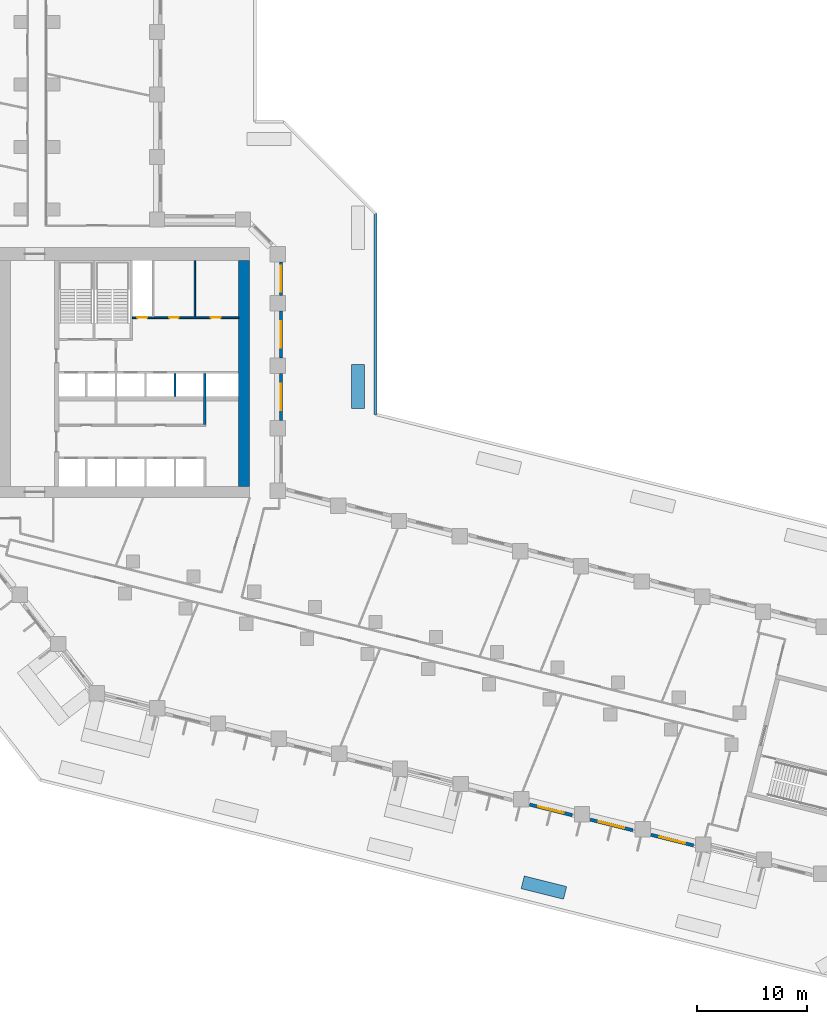
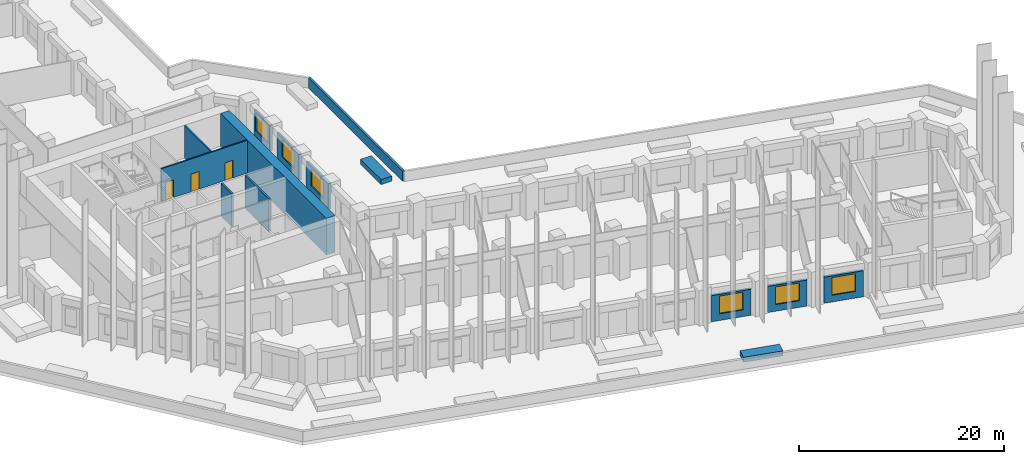
# One storey, part 6 of 13: 14 walls, 6 windows, 3 doors, 9 openings.
"""IFC4 building model written with IfcOpenShell, lengths in metres."""

from ifc_helpers import new_model, si_unit, direction, frame, frame_2d, origin, place, context, subcontext, project, spatial, rectangle, extrude, material, layer, layer_set, type_object, element, fill, save


model = new_model("IFC4")

# Units and contexts
model_context = context("Model", 3, precision=1e-05, world=origin(), true_north=direction((0.0, 1.0)))
body_context = subcontext(model_context, "Body", "Model", "MODEL_VIEW")
ifc_project = project(units=[si_unit("LENGTHUNIT", "METRE"), si_unit("AREAUNIT", "SQUARE_METRE"), si_unit("VOLUMEUNIT", "CUBIC_METRE"), si_unit("PLANEANGLEUNIT", "RADIAN"), si_unit("MASSUNIT", "GRAM", prefix="KILO")], contexts=[model_context])

# Site, building, storey
site_placement = place(None, origin())
site = spatial("IfcSite", under=ifc_project, at=site_placement, CompositionType="ELEMENT")
building_placement = place(site_placement, origin())
building = spatial("IfcBuilding", under=site, at=building_placement, Name="Meshkara Civic Tower", CompositionType="ELEMENT")
storey_placement = place(building_placement, frame((0.0, 0.0, 33.0)))
storey = spatial("IfcBuildingStorey", under=building, at=storey_placement, Name="L06", CompositionType="ELEMENT", Elevation=33.0)

# Wall, openings, doors
ifc_material_1 = material(Name="Blockwork", Category="masonry")
ifc_layer_1 = layer(ifc_material_1, 0.14990234375)
ifc_layer_set_1 = layer_set([ifc_layer_1], Name="Core partition 150")
wall_type_1 = type_object("IfcWallType", Name="Core partition 150", PredefinedType="PARTITIONING", material=ifc_layer_set_1)
wall_1_placement = place(storey_placement, frame((20.10009765625, 30.5, 0.0), z_axis=(0.0, 0.0, 1.0), x_axis=(1.0, 0.0, 0.0)))
wall_1 = element("IfcWall", 1, at=wall_1_placement, inside=storey, type_object=wall_type_1, Name="L06-C010", PredefinedType="PARTITIONING", context=body_context, shape_type="SweptSolid", body=[
    extrude(rectangle(XDim=9.699951171875, YDim=0.14990234375, at=frame_2d((4.85009765625, 0.0))), origin(), (0.0, 0.0, 1.0), 3.89990234375),
])
opening_1_placement = place(wall_1_placement, frame((0.449951171875, 0.0, 0.0)))
opening_1 = element("IfcOpeningElement", 2, at=opening_1_placement, cuts=wall_1, Name="Opening L06-K012", PredefinedType="OPENING", context=body_context, shape_type="SweptSolid", body=[
    extrude(rectangle(XDim=0.89990234375, YDim=2.10009765625, at=frame_2d((0.449951171875, 1.050048828125))), frame((0.0, 0.0849609375, 0.0), z_axis=(0.0, -1.0, 0.0), x_axis=(1.0, 0.0, 0.0)), (0.0, 0.0, 1.0), 0.169921875),
])
opening_2_placement = place(wall_1_placement, frame((3.35009765625, 0.0, 0.0)))
opening_2 = element("IfcOpeningElement", 3, at=opening_2_placement, cuts=wall_1, Name="Opening L06-K013", PredefinedType="OPENING", context=body_context, shape_type="SweptSolid", body=[
    extrude(rectangle(XDim=0.89990234375, YDim=2.10009765625, at=frame_2d((0.449951171875, 1.050048828125))), frame((0.0, 0.0849609375, 0.0), z_axis=(0.0, -1.0, 0.0), x_axis=(1.0, 0.0, 0.0)), (0.0, 0.0, 1.0), 0.169921875),
])
opening_3_placement = place(wall_1_placement, frame((7.14990234375, 0.0, 0.0)))
opening_3 = element("IfcOpeningElement", 4, at=opening_3_placement, cuts=wall_1, Name="Opening L06-K014", PredefinedType="OPENING", context=body_context, shape_type="SweptSolid", body=[
    extrude(rectangle(XDim=0.89990234375, YDim=2.10009765625, at=frame_2d((0.449951171875, 1.050048828125))), frame((0.0, 0.0849609375, 0.0), z_axis=(0.0, -1.0, 0.0), x_axis=(1.0, 0.0, 0.0)), (0.0, 0.0, 1.0), 0.169921875),
])
ifc_material_2 = material(Name="Timber door leaf in steel frame", Category="steel")
door_type_1 = type_object("IfcDoorType", Name="Core room door 900", OperationType="SINGLE_SWING_LEFT", PredefinedType="DOOR", material=ifc_material_2)
door_1_placement = place(opening_2_placement, origin())
door_1 = element("IfcDoor", 5, at=door_1_placement, inside=storey, type_object=door_type_1, Name="L06-K013", OperationType="SINGLE_SWING_RIGHT", OverallHeight=2.10009765625, OverallWidth=0.89990234375, PredefinedType="DOOR", context=body_context, shape_type="SweptSolid", body=[
    extrude(rectangle(XDim=0.89990234375, YDim=2.10009765625, at=frame_2d((0.449951171875, 1.050048828125))), frame((0.0, 0.02490234375, 0.0), z_axis=(0.0, -1.0, 0.0), x_axis=(1.0, 0.0, 0.0)), (0.0, 0.0, 1.0), 0.050048828125),
])
fill(opening_2, door_1)
ifc_material_3 = material(Name="Fire-rated door leaf in steel frame", Category="steel")
door_type_2 = type_object("IfcDoorType", Name="Riser door 900", OperationType="SINGLE_SWING_LEFT", PredefinedType="DOOR", material=ifc_material_3)
door_2_placement = place(opening_1_placement, origin())
door_2 = element("IfcDoor", 6, at=door_2_placement, inside=storey, type_object=door_type_2, Name="L06-K012", OperationType="SINGLE_SWING_RIGHT", OverallHeight=2.10009765625, OverallWidth=0.89990234375, PredefinedType="DOOR", context=body_context, shape_type="SweptSolid", body=[
    extrude(rectangle(XDim=0.89990234375, YDim=2.10009765625, at=frame_2d((0.449951171875, 1.050048828125))), frame((0.0, 0.02490234375, 0.0), z_axis=(0.0, -1.0, 0.0), x_axis=(1.0, 0.0, 0.0)), (0.0, 0.0, 1.0), 0.050048828125),
])
fill(opening_1, door_2)
ifc_material_4 = material(Name="Timber door leaf in steel frame", Category="steel")
door_type_3 = type_object("IfcDoorType", Name="WC door 900", OperationType="SINGLE_SWING_LEFT", PredefinedType="DOOR", material=ifc_material_4)
door_3_placement = place(opening_3_placement, origin())
door_3 = element("IfcDoor", 7, at=door_3_placement, inside=storey, type_object=door_type_3, Name="L06-K014", OperationType="SINGLE_SWING_LEFT", OverallHeight=2.10009765625, OverallWidth=0.89990234375, PredefinedType="DOOR", context=body_context, shape_type="SweptSolid", body=[
    extrude(rectangle(XDim=0.89990234375, YDim=2.10009765625, at=frame_2d((0.449951171875, 1.050048828125))), frame((0.0, 0.02490234375, 0.0), z_axis=(0.0, -1.0, 0.0), x_axis=(1.0, 0.0, 0.0)), (0.0, 0.0, 1.0), 0.050048828125),
])
fill(opening_3, door_3)

# Walls
wall_2_placement = place(storey_placement, frame((25.800048828125, 30.574951171875, 0.0), z_axis=(0.0, 0.0, 1.0), x_axis=(0.0, 1.0, 0.0)))
element("IfcWall", 8, at=wall_2_placement, inside=storey, type_object=wall_type_1, Name="L06-C023", PredefinedType="PARTITIONING", context=body_context, shape_type="SweptSolid", body=[
    extrude(rectangle(XDim=5.125, YDim=0.14990234375, at=frame_2d((2.5625, 0.0))), origin(), (0.0, 0.0, 1.0), 3.89990234375),
])
ifc_material_5 = material(Name="Concrete C80", Category="concrete")
ifc_layer_2 = layer(ifc_material_5, 1.0)
ifc_layer_set_2 = layer_set([ifc_layer_2], Name="Core ring wall 1000 C80")
wall_type_2 = type_object("IfcWallType", Name="Core ring wall 1000 C80", PredefinedType="SHEAR", material=ifc_layer_set_2)
wall_3_placement = place(storey_placement, frame((30.300048828125, 15.10009765625, -0.449951171875), z_axis=(0.0, 0.0, 1.0), x_axis=(0.0, 1.0, 0.0)))
element("IfcWall", 9, at=wall_3_placement, inside=storey, type_object=wall_type_2, Name="L06-C004", PredefinedType="SHEAR", context=body_context, shape_type="SweptSolid", body=[
    extrude(rectangle(XDim=20.599853515625, YDim=1.0, at=frame_2d((10.2998046875, 0.0))), origin(), (0.0, 0.0, 1.0), 4.349853515625),
])

# Wall, opening, window
ifc_material_6 = material(Name="Insulated infill panel with bronze anodised aluminium cladding", Category="aluminium")
ifc_layer_3 = layer(ifc_material_6, 0.300048828125)
ifc_layer_set_3 = layer_set([ifc_layer_3], Name="EXTERNAL INFILL WALL 300")
wall_type_3 = type_object("IfcWallType", Name="EXTERNAL INFILL WALL 300", PredefinedType="SOLIDWALL", material=ifc_layer_set_3)
wall_4_placement = place(storey_placement, frame((33.64990234375, 21.118896484375, 0.0), z_axis=(0.0, 0.0, 1.0), x_axis=(0.0, 1.0, 0.0)))
wall_4 = element("IfcWall", 10, at=wall_4_placement, inside=storey, type_object=wall_type_3, Name="External wall", PredefinedType="SOLIDWALL", context=body_context, shape_type="SweptSolid", body=[
    extrude(rectangle(XDim=4.300048828125, YDim=0.300048828125, at=frame_2d((2.14990234375, 0.0))), origin(), (0.0, 0.0, 1.0), 3.10009765625),
])
opening_4_placement = place(wall_4_placement, frame((0.949951171875, 0.0, 0.800048828125)))
opening_4 = element("IfcOpeningElement", 11, at=opening_4_placement, cuts=wall_4, Name="Opening W7", PredefinedType="OPENING", context=body_context, shape_type="SweptSolid", body=[
    extrude(rectangle(XDim=2.39990234375, YDim=2.10009765625, at=frame_2d((1.199951171875, 1.050048828125))), frame((0.0, 0.159912109375, 0.0), z_axis=(0.0, -1.0, 0.0), x_axis=(1.0, 0.0, 0.0)), (0.0, 0.0, 1.0), 0.320068359375),
])
ifc_material_7 = material(Name="Tinted double glazing", Category="glass")
window_type = type_object("IfcWindowType", Name="WINDOW 2400x2100", PartitioningType="DOUBLE_PANEL_VERTICAL", PredefinedType="WINDOW", material=ifc_material_7)
window_1_placement = place(opening_4_placement, origin())
window_1 = element("IfcWindow", 12, at=window_1_placement, inside=storey, type_object=window_type, Name="Window", OverallHeight=2.10009765625, OverallWidth=2.39990234375, PartitioningType="DOUBLE_PANEL_VERTICAL", PredefinedType="WINDOW", context=body_context, shape_type="SweptSolid", body=[
    extrude(rectangle(XDim=2.39990234375, YDim=2.10009765625, at=frame_2d((1.199951171875, 1.050048828125))), frame((0.0, 0.030029296875, 0.0), z_axis=(0.0, -1.0, 0.0), x_axis=(1.0, 0.0, 0.0)), (0.0, 0.0, 1.0), 0.06005859375),
])
fill(opening_4, window_1)

wall_5_placement = place(storey_placement, frame((33.64990234375, 26.819091796875, 0.0), z_axis=(0.0, 0.0, 1.0), x_axis=(0.0, 1.0, 0.0)))
wall_5 = element("IfcWall", 13, at=wall_5_placement, inside=storey, type_object=wall_type_3, Name="External wall", PredefinedType="SOLIDWALL", context=body_context, shape_type="SweptSolid", body=[
    extrude(rectangle(XDim=4.2998046875, YDim=0.300048828125, at=frame_2d((2.14990234375, 0.0))), origin(), (0.0, 0.0, 1.0), 3.10009765625),
])
opening_5_placement = place(wall_5_placement, frame((0.949951171875, 0.0, 0.800048828125)))
opening_5 = element("IfcOpeningElement", 14, at=opening_5_placement, cuts=wall_5, Name="Opening W7", PredefinedType="OPENING", context=body_context, shape_type="SweptSolid", body=[
    extrude(rectangle(XDim=2.39990234375, YDim=2.10009765625, at=frame_2d((1.199951171875, 1.050048828125))), frame((0.0, 0.159912109375, 0.0), z_axis=(0.0, -1.0, 0.0), x_axis=(1.0, 0.0, 0.0)), (0.0, 0.0, 1.0), 0.320068359375),
])
window_2_placement = place(opening_5_placement, origin())
window_2 = element("IfcWindow", 15, at=window_2_placement, inside=storey, type_object=window_type, Name="Window", OverallHeight=2.10009765625, OverallWidth=2.39990234375, PartitioningType="DOUBLE_PANEL_VERTICAL", PredefinedType="WINDOW", context=body_context, shape_type="SweptSolid", body=[
    extrude(rectangle(XDim=2.39990234375, YDim=2.10009765625, at=frame_2d((1.199951171875, 1.050048828125))), frame((0.0, 0.030029296875, 0.0), z_axis=(0.0, -1.0, 0.0), x_axis=(1.0, 0.0, 0.0)), (0.0, 0.0, 1.0), 0.06005859375),
])
fill(opening_5, window_2)

wall_6_placement = place(storey_placement, frame((33.64990234375, 32.51904296875, 0.0), z_axis=(0.0, 0.0, 1.0), x_axis=(0.0, 1.0, 0.0)))
wall_6 = element("IfcWall", 16, at=wall_6_placement, inside=storey, type_object=wall_type_3, Name="External wall", PredefinedType="SOLIDWALL", context=body_context, shape_type="SweptSolid", body=[
    extrude(rectangle(XDim=3.074951171875, YDim=0.300048828125, at=frame_2d((1.53759765625, 0.0))), origin(), (0.0, 0.0, 1.0), 3.10009765625),
])
opening_6_placement = place(wall_6_placement, frame((0.337890625, 0.0, 0.800048828125)))
opening_6 = element("IfcOpeningElement", 17, at=opening_6_placement, cuts=wall_6, Name="Opening W7", PredefinedType="OPENING", context=body_context, shape_type="SweptSolid", body=[
    extrude(rectangle(XDim=2.39990234375, YDim=2.10009765625, at=frame_2d((1.199951171875, 1.050048828125))), frame((0.0, 0.159912109375, 0.0), z_axis=(0.0, -1.0, 0.0), x_axis=(1.0, 0.0, 0.0)), (0.0, 0.0, 1.0), 0.320068359375),
])
window_3_placement = place(opening_6_placement, origin())
window_3 = element("IfcWindow", 18, at=window_3_placement, inside=storey, type_object=window_type, Name="Window", OverallHeight=2.10009765625, OverallWidth=2.39990234375, PartitioningType="DOUBLE_PANEL_VERTICAL", PredefinedType="WINDOW", context=body_context, shape_type="SweptSolid", body=[
    extrude(rectangle(XDim=2.39990234375, YDim=2.10009765625, at=frame_2d((1.199951171875, 1.050048828125))), frame((0.0, 0.030029296875, 0.0), z_axis=(0.0, -1.0, 0.0), x_axis=(1.0, 0.0, 0.0)), (0.0, 0.0, 1.0), 0.06005859375),
])
fill(opening_6, window_3)

wall_7_placement = place(storey_placement, frame((56.31689453125, -13.886962890625, 0.0), z_axis=(0.0, 0.0, 1.0), x_axis=(0.970318045095, -0.24183236211, 0.0)))
wall_7 = element("IfcWall", 19, at=wall_7_placement, inside=storey, type_object=wall_type_3, Name="External wall", PredefinedType="SOLIDWALL", context=body_context, shape_type="SweptSolid", body=[
    extrude(rectangle(XDim=4.0029296875, YDim=0.300048828125, at=frame_2d((2.00146484375, 0.0))), origin(), (0.0, 0.0, 1.0), 3.10009765625),
])
opening_7_placement = place(wall_7_placement, frame((0.802001953125, 0.0, 0.800048828125)))
opening_7 = element("IfcOpeningElement", 20, at=opening_7_placement, cuts=wall_7, Name="Opening W7", PredefinedType="OPENING", context=body_context, shape_type="SweptSolid", body=[
    extrude(rectangle(XDim=2.39990234375, YDim=2.10009765625, at=frame_2d((1.199951171875, 1.050048828125))), frame((0.0, 0.159912109375, 0.0), z_axis=(0.0, -1.0, 0.0), x_axis=(1.0, 0.0, 0.0)), (0.0, 0.0, 1.0), 0.320068359375),
])
window_4_placement = place(opening_7_placement, origin())
window_4 = element("IfcWindow", 21, at=window_4_placement, inside=storey, type_object=window_type, Name="Window", OverallHeight=2.10009765625, OverallWidth=2.39990234375, PartitioningType="DOUBLE_PANEL_VERTICAL", PredefinedType="WINDOW", context=body_context, shape_type="SweptSolid", body=[
    extrude(rectangle(XDim=2.39990234375, YDim=2.10009765625, at=frame_2d((1.199951171875, 1.050048828125))), frame((0.0, 0.030029296875, 0.0), z_axis=(0.0, -1.0, 0.0), x_axis=(1.0, 0.0, 0.0)), (0.0, 0.0, 1.0), 0.06005859375),
])
fill(opening_7, window_4)

wall_8_placement = place(storey_placement, frame((61.847900390625, -15.26611328125, 0.0), z_axis=(0.0, 0.0, 1.0), x_axis=(0.970318089187, -0.241832185196, 0.0)))
wall_8 = element("IfcWall", 22, at=wall_8_placement, inside=storey, type_object=wall_type_3, Name="External wall", PredefinedType="SOLIDWALL", context=body_context, shape_type="SweptSolid", body=[
    extrude(rectangle(XDim=4.001953125, YDim=0.300048828125, at=frame_2d((2.0009765625, 0.0))), origin(), (0.0, 0.0, 1.0), 3.10009765625),
])
opening_8_placement = place(wall_8_placement, frame((0.801025390625, 0.0, 0.800048828125)))
opening_8 = element("IfcOpeningElement", 23, at=opening_8_placement, cuts=wall_8, Name="Opening W7", PredefinedType="OPENING", context=body_context, shape_type="SweptSolid", body=[
    extrude(rectangle(XDim=2.39990234375, YDim=2.10009765625, at=frame_2d((1.199951171875, 1.050048828125))), frame((0.0, 0.159912109375, 0.0), z_axis=(0.0, -1.0, 0.0), x_axis=(1.0, 0.0, 0.0)), (0.0, 0.0, 1.0), 0.320068359375),
])
window_5_placement = place(opening_8_placement, origin())
window_5 = element("IfcWindow", 24, at=window_5_placement, inside=storey, type_object=window_type, Name="Window", OverallHeight=2.10009765625, OverallWidth=2.39990234375, PartitioningType="DOUBLE_PANEL_VERTICAL", PredefinedType="WINDOW", context=body_context, shape_type="SweptSolid", body=[
    extrude(rectangle(XDim=2.39990234375, YDim=2.10009765625, at=frame_2d((1.199951171875, 1.050048828125))), frame((0.0, 0.030029296875, 0.0), z_axis=(0.0, -1.0, 0.0), x_axis=(1.0, 0.0, 0.0)), (0.0, 0.0, 1.0), 0.06005859375),
])
fill(opening_8, window_5)

wall_9_placement = place(storey_placement, frame((67.3779296875, -16.64404296875, 0.0), z_axis=(0.0, 0.0, 1.0), x_axis=(0.970260773365, -0.242062040951, 0.0)))
wall_9 = element("IfcWall", 25, at=wall_9_placement, inside=storey, type_object=wall_type_3, Name="External wall", PredefinedType="SOLIDWALL", context=body_context, shape_type="SweptSolid", body=[
    extrude(rectangle(XDim=4.003173828125, YDim=0.300048828125, at=frame_2d((2.00146484375, 0.0))), origin(), (0.0, 0.0, 1.0), 3.10009765625),
])
opening_9_placement = place(wall_9_placement, frame((0.802001953125, 0.0, 0.800048828125)))
opening_9 = element("IfcOpeningElement", 26, at=opening_9_placement, cuts=wall_9, Name="Opening W7", PredefinedType="OPENING", context=body_context, shape_type="SweptSolid", body=[
    extrude(rectangle(XDim=2.39990234375, YDim=2.10009765625, at=frame_2d((1.199951171875, 1.050048828125))), frame((0.0, 0.159912109375, 0.0), z_axis=(0.0, -1.0, 0.0), x_axis=(1.0, 0.0, 0.0)), (0.0, 0.0, 1.0), 0.320068359375),
])
window_6_placement = place(opening_9_placement, origin())
window_6 = element("IfcWindow", 27, at=window_6_placement, inside=storey, type_object=window_type, Name="Window", OverallHeight=2.10009765625, OverallWidth=2.39990234375, PartitioningType="DOUBLE_PANEL_VERTICAL", PredefinedType="WINDOW", context=body_context, shape_type="SweptSolid", body=[
    extrude(rectangle(XDim=2.39990234375, YDim=2.10009765625, at=frame_2d((1.199951171875, 1.050048828125))), frame((0.0, 0.030029296875, 0.0), z_axis=(0.0, -1.0, 0.0), x_axis=(1.0, 0.0, 0.0)), (0.0, 0.0, 1.0), 0.06005859375),
])
fill(opening_9, window_6)

# Walls
ifc_material_8 = material(Name="Concrete C40", Category="concrete")
ifc_layer_4 = layer(ifc_material_8, 1.199951171875)
ifc_layer_set_4 = layer_set([ifc_layer_4], Name="PLANTING BED")
wall_type_4 = type_object("IfcWallType", Name="PLANTING BED", PredefinedType="SOLIDWALL", material=ifc_layer_set_4)
wall_10_placement = place(storey_placement, frame((40.679931640625, 26.215087890625, 0.0), z_axis=(0.0, 0.0, 1.0), x_axis=(0.0, -1.0, 0.0)))
element("IfcWall", 28, at=wall_10_placement, inside=storey, type_object=wall_type_4, Name="Planting bed", PredefinedType="SOLIDWALL", context=body_context, shape_type="SweptSolid", body=[
    extrude(rectangle(XDim=4.0, YDim=1.199951171875, at=frame_2d((2.0, 0.0))), origin(), (0.0, 0.0, 1.0), 0.60009765625),
])
wall_11_placement = place(storey_placement, frame((59.56591796875, -21.94189453125, 0.0), z_axis=(0.0, 0.0, 1.0), x_axis=(-0.970343250308, 0.241731207299, 0.0)))
element("IfcWall", 29, at=wall_11_placement, inside=storey, type_object=wall_type_4, Name="Planting bed", PredefinedType="SOLIDWALL", context=body_context, shape_type="SweptSolid", body=[
    extrude(rectangle(XDim=3.99951171875, YDim=1.199951171875, at=frame_2d((1.999755859375, 0.0))), origin(), (0.0, 0.0, 1.0), 0.60009765625),
])
ifc_material_9 = material(Name="Concrete C40", Category="concrete")
ifc_layer_5 = layer(ifc_material_9, 0.25)
ifc_layer_set_5 = layer_set([ifc_layer_5], Name="ROOF PARAPET 250")
wall_type_5 = type_object("IfcWallType", Name="ROOF PARAPET 250", PredefinedType="PARAPET", material=ifc_layer_set_5)
wall_12_placement = place(storey_placement, frame((42.280029296875, 39.992919921875, 0.0), z_axis=(0.0, 0.0, 1.0), x_axis=(0.0, -1.0, 0.0)))
element("IfcWall", 30, at=wall_12_placement, inside=storey, type_object=wall_type_5, Name="Roof parapet", PredefinedType="PARAPET", context=body_context, shape_type="SweptSolid", body=[
    extrude(rectangle(XDim=18.296875, YDim=0.25, at=frame_2d((9.1484375, 0.0))), origin(), (0.0, 0.0, 1.0), 1.199951171875),
])
ifc_material_10 = material(Name="Concrete C40/50", Category="concrete")
ifc_layer_6 = layer(ifc_material_10, 0.199951171875)
ifc_layer_set_6 = layer_set([ifc_layer_6], Name="Shaft wall 200 C40/50")
wall_type_6 = type_object("IfcWallType", Name="Shaft wall 200 C40/50", PredefinedType="SOLIDWALL", material=ifc_layer_set_6)
wall_13_placement = place(storey_placement, frame((24.0, 23.300048828125, 0.0), z_axis=(0.0, 0.0, 1.0), x_axis=(0.0, 1.0, 0.0)))
element("IfcWall", 31, at=wall_13_placement, inside=storey, type_object=wall_type_6, Name="L06-C022", PredefinedType="SOLIDWALL", context=body_context, shape_type="SweptSolid", body=[
    extrude(rectangle(XDim=2.099853515625, YDim=0.199951171875, at=frame_2d((1.0498046875, 0.0))), origin(), (0.0, 0.0, 1.0), 3.89990234375),
])
wall_14_placement = place(storey_placement, frame((26.699951171875, 20.77490234375, 0.0), z_axis=(0.0, 0.0, 1.0), x_axis=(0.0, 1.0, 0.0)))
element("IfcWall", 32, at=wall_14_placement, inside=storey, type_object=wall_type_6, Name="L06-C025", PredefinedType="SOLIDWALL", context=body_context, shape_type="SweptSolid", body=[
    extrude(rectangle(XDim=4.625, YDim=0.199951171875, at=frame_2d((2.3125, 0.0))), origin(), (0.0, 0.0, 1.0), 3.89990234375),
])

save(model, "model.ifc")
